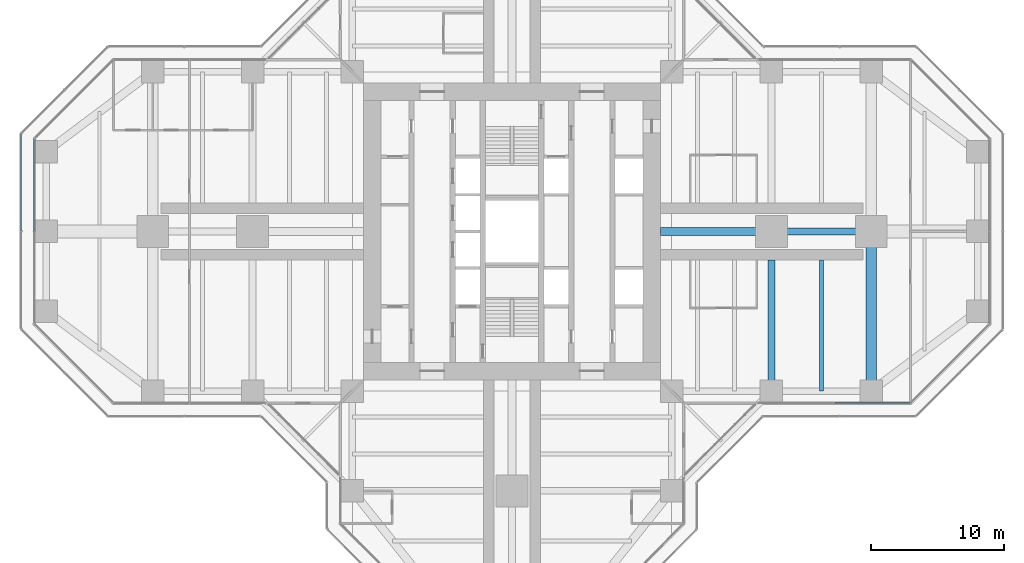
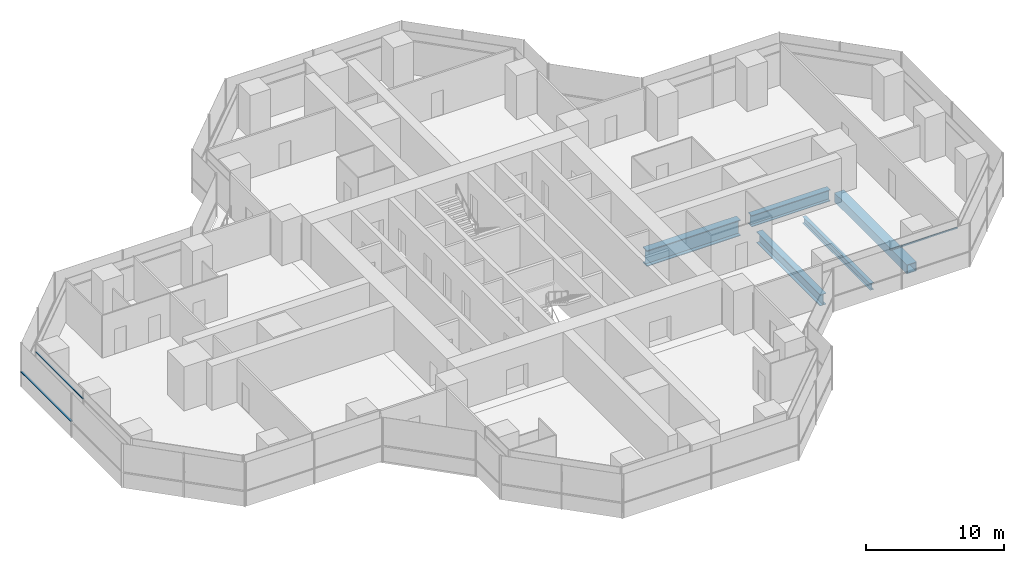
# One storey, part 6 of 19: 5 beams, 3 members, 3 elements without a shape of their own.
"""IFC4 building model written with IfcOpenShell, lengths in metres."""

import ifcopenshell
import ifcopenshell.guid

model = None  # the IFC model being written
_history = None  # IfcOwnerHistory: only IFC2X3 demands one
_inside = {}  # id of a spatial element -> (the spatial element, [elements in it])
_under = {}  # id of a project, library or spatial element -> (it, [spatial elements below it])
_declared = {}  # id of a project -> (the project, [libraries it declares])
_typed = {}  # id of a type object -> (the type object, [elements of that type])
_made_of = {}  # id of a material, layer set ... -> (it, [elements and type objects made of it])


def new_model(schema):
    """Start an empty IFC model of exactly this schema.

    Asked for "IFC4X3", IfcOpenShell would pick the latest addendum, in which some entities
    have other attributes; the version numbers below select the first issue.
    IFC2X3 requires an IfcOwnerHistory on every rooted entity: one is made here for all.
    """
    global model, _history
    if schema == "IFC4X3":
        model = ifcopenshell.file(schema_version=(4, 3, 0, 0))
    else:
        model = ifcopenshell.file(schema=schema)
    _inside.clear()
    _under.clear()
    _declared.clear()
    _typed.clear()
    _made_of.clear()
    _history = None
    if model.schema == "IFC2X3":
        org = make("IfcOrganization", Name="unknown")
        user = make(
            "IfcPersonAndOrganization",
            ThePerson=make("IfcPerson", FamilyName="unknown"),
            TheOrganization=org,
        )
        app = make(
            "IfcApplication",
            ApplicationDeveloper=org,
            Version="unknown",
            ApplicationFullName="unknown",
            ApplicationIdentifier="unknown",
        )
        _history = make(
            "IfcOwnerHistory",
            OwningUser=user,
            OwningApplication=app,
            ChangeAction="ADDED",
            CreationDate=0,
        )
    return model


def make(cls, **values):
    """One entity of the class cls with the attributes given. An attribute that is None is left unset."""
    return model.create_entity(
        cls, **{name: value for name, value in values.items() if value is not None}
    )


def rooted(cls, **values):
    """An entity with a GlobalId (a new one), such as an element, a storey or a relation."""
    return make(cls, GlobalId=ifcopenshell.guid.new(), OwnerHistory=_history, **values)


def si_unit(unit_type, name, prefix=None):
    """IfcSIUnit, for example si_unit("LENGTHUNIT", "METRE", prefix="MILLI")."""
    return make("IfcSIUnit", UnitType=unit_type, Prefix=prefix, Name=name)


def assignment(units):
    """IfcUnitAssignment: the units of a project."""
    return None if units is None else make("IfcUnitAssignment", Units=units)


def point(xyz):
    """IfcCartesianPoint."""
    return None if xyz is None else make("IfcCartesianPoint", Coordinates=xyz)


def direction(xyz):
    """IfcDirection."""
    return None if xyz is None else make("IfcDirection", DirectionRatios=xyz)


def frame(location, z_axis=None, x_axis=None):
    """IfcAxis2Placement3D, a coordinate frame: its origin and axes. An axis left out is left unset."""
    return make(
        "IfcAxis2Placement3D",
        Location=point(location),
        Axis=direction(z_axis),
        RefDirection=direction(x_axis),
    )


def frame_2d(location, x_axis=None):
    """IfcAxis2Placement2D, a coordinate frame in the plane: its origin and x axis."""
    return make(
        "IfcAxis2Placement2D", Location=point(location), RefDirection=direction(x_axis)
    )


def origin():
    """The frame at (0, 0, 0) with its axes left unset."""
    return frame((0.0, 0.0, 0.0))


def origin_2d():
    """The frame at (0, 0) in the plane with its x axis left unset."""
    return frame_2d((0.0, 0.0))


def place(relative_to, where):
    """IfcLocalPlacement: puts the frame where relative to a parent placement (None: the world)."""
    return make(
        "IfcLocalPlacement", PlacementRelTo=relative_to, RelativePlacement=where
    )


def context(
    kind, dimensions, precision=None, world=None, true_north=None, identifier=None
):
    """IfcGeometricRepresentationContext, for example the 3D "Model" context."""
    return make(
        "IfcGeometricRepresentationContext",
        ContextIdentifier=identifier,
        ContextType=kind,
        CoordinateSpaceDimension=dimensions,
        Precision=precision,
        WorldCoordinateSystem=world,
        TrueNorth=true_north,
    )


def subcontext(parent, identifier, kind, view, scale=None):
    """IfcGeometricRepresentationSubContext, for example "Body" below "Model"."""
    return make(
        "IfcGeometricRepresentationSubContext",
        ContextIdentifier=identifier,
        ContextType=kind,
        ParentContext=parent,
        TargetScale=scale,
        TargetView=view,
    )


def project(units=None, contexts=None):
    """IfcProject with its units and contexts."""
    return rooted(
        "IfcProject",
        Name="project",
        RepresentationContexts=contexts,
        UnitsInContext=assignment(units),
    )


def spatial(cls, under=None, at=None, **own):
    """A site, building, storey or space (cls), placed at a placement, below another one or the project."""
    s = rooted(cls, ObjectPlacement=at, **own)
    if under is not None:
        _under.setdefault(under.id(), (under, []))[1].append(s)
    return s


def profile(cls, at=None, kind="AREA", **sizes):
    """A parametric profile (cls). Its sizes go by their IFC names, for example OverallWidth=200.0."""
    return make(cls, ProfileType=kind, Position=at, **sizes)


def rectangle(**sizes):
    """IfcRectangleProfileDef."""
    return profile("IfcRectangleProfileDef", **sizes)


def hollow_rectangle(**sizes):
    """IfcRectangleHollowProfileDef."""
    return profile("IfcRectangleHollowProfileDef", **sizes)


def i_section(**sizes):
    """IfcIShapeProfileDef."""
    return profile("IfcIShapeProfileDef", **sizes)


def extrude(swept, where, along, depth):
    """IfcExtrudedAreaSolid: the profile swept, set in the frame where, extruded along a direction by depth."""
    return make(
        "IfcExtrudedAreaSolid",
        SweptArea=swept,
        Position=where,
        ExtrudedDirection=direction(along),
        Depth=depth,
    )


def shape(context_of_items, identifier, shape_type, items):
    """IfcShapeRepresentation: the items that make up one representation, for example the "Body"."""
    return make(
        "IfcShapeRepresentation",
        ContextOfItems=context_of_items,
        RepresentationIdentifier=identifier,
        RepresentationType=shape_type,
        Items=items,
    )


def material(Name=None, Category=None):
    """IfcMaterial."""
    return make("IfcMaterial", Name=Name, Category=Category)


def material_profile(
    of_material, cross_section, Name=None, Category=None, Priority=None
):
    """IfcMaterialProfile: a cross section and its material."""
    return make(
        "IfcMaterialProfile",
        Name=Name,
        Material=of_material,
        Profile=cross_section,
        Priority=Priority,
        Category=Category,
    )


def profile_set(profiles, Name=None, composite=None):
    """IfcMaterialProfileSet."""
    return make(
        "IfcMaterialProfileSet",
        Name=Name,
        MaterialProfiles=profiles,
        CompositeProfile=composite,
    )


def made_of(thing, what):
    """Note that an element or type object is made of a material, layer set ...; save() writes the relation."""
    if what is not None:
        _made_of.setdefault(what.id(), (what, []))[1].append(thing)
    return thing


def type_object(cls, material=None, **own):
    """A type object (cls), such as IfcWallType, which elements share."""
    return made_of(rooted(cls, **own), material)


def element(
    cls,
    number,
    at=None,
    inside=None,
    cuts=None,
    type_object=None,
    material=None,
    context=None,
    identifier="Body",
    shape_type=None,
    held_by="IfcProductDefinitionShape",
    body=None,
    shapes=None,
    **own,
):
    """One element of the class cls, such as IfcWall. Its Tag is "e" and its number.

    at: its placement. inside: the storey or other place that contains it. cuts: it is an
    opening in that element (IfcRelVoidsElement). A single representation is given by context,
    identifier, shape_type and body (its items); several are given by shapes. held_by: the class
    of the entity that holds the representations. save() writes the other relations.
    """
    e = rooted(cls, Tag="e%d" % number, ObjectPlacement=at, **own)
    if body is not None:
        shapes = [shape(context, identifier, shape_type, body)]
    if shapes is not None:
        e.Representation = make(held_by, Representations=shapes)
    if inside is not None:
        _inside.setdefault(inside.id(), (inside, []))[1].append(e)
    if cuts is not None:
        rooted(
            "IfcRelVoidsElement", RelatingBuildingElement=cuts, RelatedOpeningElement=e
        )
    if type_object is not None:
        _typed.setdefault(type_object.id(), (type_object, []))[1].append(e)
    return made_of(e, material)


def aggregate(whole, parts):
    """IfcRelAggregates: a whole, such as a stair, and the parts it consists of."""
    return rooted("IfcRelAggregates", RelatingObject=whole, RelatedObjects=parts)


def save(model, path):
    """Write the relations noted so far, then the file.

    IfcRelAggregates (storeys below a building ...), IfcRelContainedInSpatialStructure (elements
    in a storey), IfcRelDefinesByType, IfcRelAssociatesMaterial and IfcRelDeclares: one each for
    every whole, place, type object, material and project.
    """
    for whole, parts in _under.values():
        aggregate(whole, parts)
    for where, things in _inside.values():
        rooted(
            "IfcRelContainedInSpatialStructure",
            RelatedElements=things,
            RelatingStructure=where,
        )
    for kind, things in _typed.values():
        rooted("IfcRelDefinesByType", RelatedObjects=things, RelatingType=kind)
    for what, things in _made_of.values():
        rooted("IfcRelAssociatesMaterial", RelatedObjects=things, RelatingMaterial=what)
    for by, libraries in _declared.values():
        rooted("IfcRelDeclares", RelatingContext=by, RelatedDefinitions=libraries)
    model.write(path)


model = new_model("IFC4")

# Units and contexts
model_context = context("Model", 3, precision=1e-05, world=origin(), true_north=direction((0.0, 1.0)))
body_context = subcontext(model_context, "Body", "Model", "MODEL_VIEW")
ifc_project = project(units=[si_unit("LENGTHUNIT", "METRE"), si_unit("AREAUNIT", "SQUARE_METRE"), si_unit("VOLUMEUNIT", "CUBIC_METRE"), si_unit("PLANEANGLEUNIT", "RADIAN"), si_unit("MASSUNIT", "GRAM", prefix="KILO")], contexts=[model_context])

# Site, building, storey
site_placement = place(None, origin())
site = spatial("IfcSite", under=ifc_project, at=site_placement, CompositionType="ELEMENT")
building_placement = place(site_placement, origin())
building = spatial("IfcBuilding", under=site, at=building_placement, Name="Mizan Broadcast Tower", CompositionType="ELEMENT")
storey_placement = place(building_placement, frame((0.0, 0.0, 167.10009765625)))
storey = spatial("IfcBuildingStorey", under=building, at=storey_placement, Name="L38", CompositionType="ELEMENT", Elevation=167.10009765625)

# Beams
ifc_material_1 = material(Name="Steel S460", Category="steel")
ifc_material_profile_1 = material_profile(ifc_material_1, hollow_rectangle(XDim=0.800048828125, YDim=0.800048828125, WallThickness=0.050048828125, at=origin_2d()), Name="BOX 800x800x50")
ifc_profile_set_1 = profile_set([ifc_material_profile_1], Name="Steel S460")
beam_type_1 = type_object("IfcBeamType", Name="GIRDER BOX 800x800x50", PredefinedType="BEAM", material=ifc_profile_set_1)
beam_1_placement = place(storey_placement, frame((27.0, -11.280029296875, -0.530029296875), z_axis=(0.0, 1.0, 0.0), x_axis=(-1.0, 0.0, 0.0)))
element("IfcBeam", 1, at=beam_1_placement, inside=storey, type_object=beam_type_1, Name="Girder BOX 800x800x50 L38 east arm", PredefinedType="BEAM", context=body_context, shape_type="SweptSolid", body=[
    extrude(hollow_rectangle(XDim=0.800048828125, YDim=0.800048828125, WallThickness=0.050048828125, at=origin_2d()), origin(), (0.0, 0.0, 1.0), 10.56005859375),
])
ifc_material_2 = material(Name="Steel S460", Category="steel")
ifc_material_profile_2 = material_profile(ifc_material_2, i_section(OverallWidth=0.5, OverallDepth=1.0, WebThickness=0.02490234375, FlangeThickness=0.050048828125, at=origin_2d()), Name="WPG 1000x500")
ifc_profile_set_2 = profile_set([ifc_material_profile_2], Name="Steel S460")
beam_type_2 = type_object("IfcBeamType", Name="GIRDER WPG 1000x500", PredefinedType="BEAM", material=ifc_profile_set_2)
beam_2_placement = place(storey_placement, frame((19.949951171875, 0.0, -0.630126953125), z_axis=(1.0, 0.0, 0.0), x_axis=(0.0, 1.0, 0.0)))
element("IfcBeam", 2, at=beam_2_placement, inside=storey, type_object=beam_type_2, Name="Girder WPG 1000x500 L38 east arm", PredefinedType="BEAM", context=body_context, shape_type="SweptSolid", body=[
    extrude(i_section(OverallWidth=0.5, OverallDepth=1.0, WebThickness=0.02490234375, FlangeThickness=0.050048828125, at=origin_2d()), origin(), (0.0, 0.0, 1.0), 6.60009765625),
])
beam_3_placement = place(storey_placement, frame((19.5, -11.408935546875, -0.630126953125), z_axis=(0.0, 1.0, 0.0), x_axis=(-1.0, 0.0, 0.0)))
element("IfcBeam", 3, at=beam_3_placement, inside=storey, type_object=beam_type_2, Name="Girder WPG 1000x500 L38 east arm", PredefinedType="BEAM", context=body_context, shape_type="SweptSolid", body=[
    extrude(i_section(OverallWidth=0.5, OverallDepth=1.0, WebThickness=0.02490234375, FlangeThickness=0.050048828125, at=origin_2d()), origin(), (0.0, 0.0, 1.0), 9.259033203125),
])
ifc_material_3 = material(Name="Steel S460", Category="steel")
ifc_material_profile_3 = material_profile(ifc_material_3, i_section(OverallWidth=0.60009765625, OverallDepth=1.39990234375, WebThickness=0.02490234375, FlangeThickness=0.06005859375, at=origin_2d()), Name="WPG 1400x600")
ifc_profile_set_3 = profile_set([ifc_material_profile_3], Name="Steel S460")
beam_type_3 = type_object("IfcBeamType", Name="GIRDER WPG 1400x600", PredefinedType="BEAM", material=ifc_profile_set_3)
beam_4_placement = place(storey_placement, frame((11.14990234375, 0.0, -0.830078125), z_axis=(1.0, 0.0, 0.0), x_axis=(0.0, 1.0, 0.0)))
element("IfcBeam", 4, at=beam_4_placement, inside=storey, type_object=beam_type_3, Name="Girder WPG 1400x600 L38 east arm", PredefinedType="BEAM", context=body_context, shape_type="SweptSolid", body=[
    extrude(i_section(OverallWidth=0.60009765625, OverallDepth=1.39990234375, WebThickness=0.02490234375, FlangeThickness=0.06005859375, at=origin_2d()), origin(), (0.0, 0.0, 1.0), 7.84912109375),
])

# Curtain wall, member
ifc_material_4 = material(Name="Aluminium framed glazing", Category="aluminium")
curtain_wall_type_1 = type_object("IfcCurtainWallType", Name="INNER SKIN MID ZONE", PredefinedType="USERDEFINED", material=ifc_material_4)
curtain_wall_1_placement = place(storey_placement, origin())
curtain_wall_1 = element("IfcCurtainWall", 5, at=curtain_wall_1_placement, inside=storey, type_object=curtain_wall_type_1, Name="Inner skin mid zone L38 E side", ObjectType="INNER SKIN MID ZONE", PredefinedType="USERDEFINED")
ifc_material_5 = material(Name="Aluminium, pale anodised", Category="aluminium")
ifc_material_profile_4 = material_profile(ifc_material_5, rectangle(XDim=0.1201171875, YDim=0.06005859375, at=origin_2d()), Name="TRANSOM 120x60")
ifc_profile_set_4 = profile_set([ifc_material_profile_4], Name="Aluminium, pale anodised")
member_type_1 = type_object("IfcMemberType", Name="INNER SKIN TRANSOM 60x120", PredefinedType="USERDEFINED", material=ifc_profile_set_4)
member_1_placement = place(storey_placement, frame((24.25927734375, -12.89990234375, 3.02978515625), z_axis=(1.0, 0.0, 0.0), x_axis=(0.0, 1.0, 0.0)))
member_1 = element("IfcMember", 6, at=member_1_placement, type_object=member_type_1, Name="Inner skin mid zone L38 E side transom 2.1", ObjectType="TRANSOM", PredefinedType="USERDEFINED", context=body_context, shape_type="SweptSolid", body=[
    extrude(rectangle(XDim=0.1201171875, YDim=0.06005859375, at=origin_2d()), origin(), (0.0, 0.0, 1.0), 5.639404296875),
])
aggregate(curtain_wall_1, [member_1])

curtain_wall_2_placement = place(storey_placement, origin())
curtain_wall_2 = element("IfcCurtainWall", 7, at=curtain_wall_2_placement, inside=storey, type_object=curtain_wall_type_1, Name="Inner skin mid zone L38 W end", ObjectType="INNER SKIN MID ZONE", PredefinedType="USERDEFINED")
member_2_placement = place(storey_placement, frame((-35.89990234375, 6.898681640625, 3.02978515625), z_axis=(0.0, -1.0, 0.0), x_axis=(1.0, 0.0, 0.0)))
member_2 = element("IfcMember", 8, at=member_2_placement, type_object=member_type_1, Name="Inner skin mid zone L38 W end transom 1.1", ObjectType="TRANSOM", PredefinedType="USERDEFINED", context=body_context, shape_type="SweptSolid", body=[
    extrude(rectangle(XDim=0.1201171875, YDim=0.06005859375, at=origin_2d()), origin(), (0.0, 0.0, 1.0), 6.86865234375),
])
aggregate(curtain_wall_2, [member_2])

ifc_material_6 = material(Name="Aluminium framed glazing", Category="aluminium")
curtain_wall_type_2 = type_object("IfcCurtainWallType", Name="OUTER SKIN", PredefinedType="USERDEFINED", material=ifc_material_6)
curtain_wall_3_placement = place(storey_placement, origin())
curtain_wall_3 = element("IfcCurtainWall", 9, at=curtain_wall_3_placement, inside=storey, type_object=curtain_wall_type_2, Name="Outer skin L38 W end", ObjectType="OUTER SKIN", PredefinedType="USERDEFINED")
ifc_material_7 = material(Name="Aluminium, pale anodised", Category="aluminium")
ifc_material_profile_5 = material_profile(ifc_material_7, rectangle(XDim=0.159912109375, YDim=0.06005859375, at=origin_2d()), Name="TRANSOM 160x60")
ifc_profile_set_5 = profile_set([ifc_material_profile_5], Name="Aluminium, pale anodised")
member_type_2 = type_object("IfcMemberType", Name="OUTER SKIN TRANSOM 60x160", PredefinedType="USERDEFINED", material=ifc_profile_set_5)
member_3_placement = place(storey_placement, frame((-36.89990234375, 7.292724609375, 1.39990234375), z_axis=(0.0, -1.0, 0.0), x_axis=(1.0, 0.0, 0.0)))
member_3 = element("IfcMember", 10, at=member_3_placement, type_object=member_type_2, Name="Outer skin L38 W end transom 1.1", ObjectType="TRANSOM", PredefinedType="USERDEFINED", context=body_context, shape_type="SweptSolid", body=[
    extrude(rectangle(XDim=0.159912109375, YDim=0.06005859375, at=origin_2d()), origin(), (0.0, 0.0, 1.0), 7.252685546875),
])
aggregate(curtain_wall_3, [member_3])

# Beam
ifc_material_8 = material(Name="Steel S355", Category="steel")
ifc_material_profile_6 = material_profile(ifc_material_8, i_section(OverallWidth=0.300048828125, OverallDepth=0.590087890625, WebThickness=0.012939453125, FlangeThickness=0.02490234375, FilletRadius=0.027099609375, at=origin_2d()), Name="HEA 600")
ifc_profile_set_6 = profile_set([ifc_material_profile_6], Name="Steel S355")
beam_type_4 = type_object("IfcBeamType", Name="SECONDARY BEAM HEA 600", PredefinedType="JOIST", material=ifc_profile_set_6)
beam_5_placement = place(storey_placement, frame((23.25, -12.0, -0.425048828125), z_axis=(0.0, 1.0, 0.0), x_axis=(-1.0, 0.0, 0.0)))
element("IfcBeam", 11, at=beam_5_placement, inside=storey, type_object=beam_type_4, Name="Secondary beam HEA 600 L38 east arm", PredefinedType="JOIST", context=body_context, shape_type="SweptSolid", body=[
    extrude(i_section(OverallWidth=0.300048828125, OverallDepth=0.590087890625, WebThickness=0.012939453125, FlangeThickness=0.02490234375, FilletRadius=0.027099609375, at=origin_2d()), origin(), (0.0, 0.0, 1.0), 9.85009765625),
])

save(model, "model.ifc")
